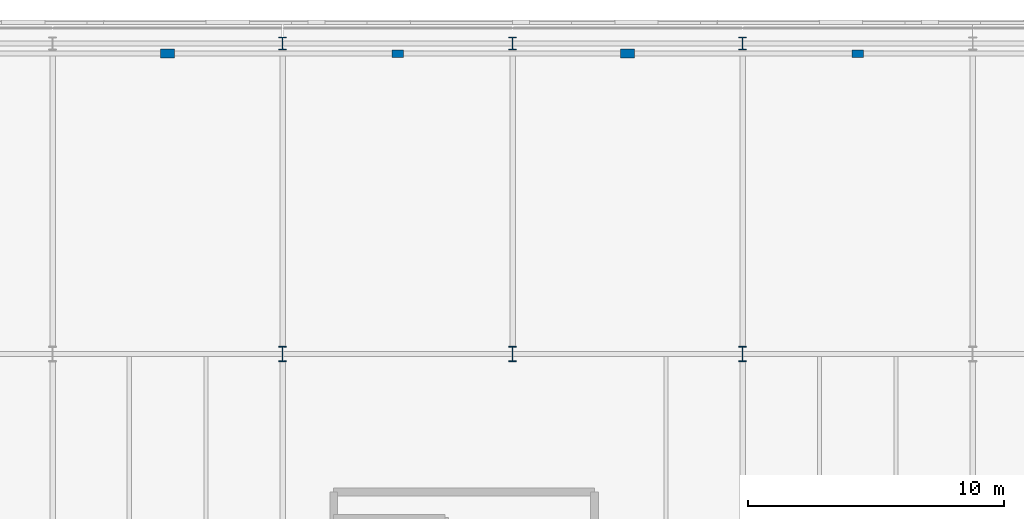
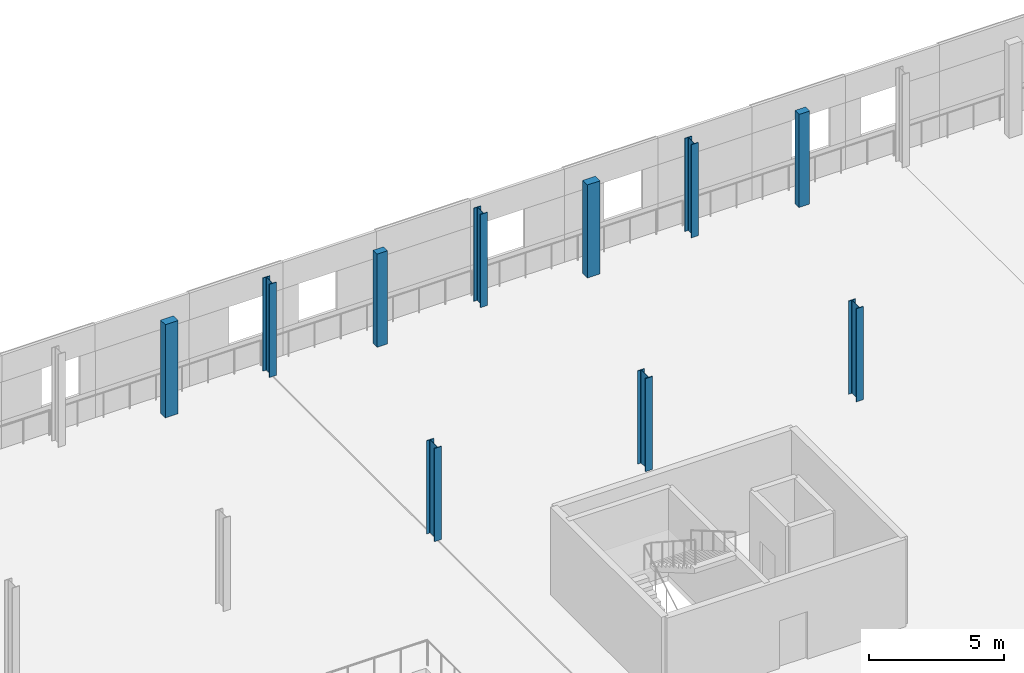
# One storey, part 13 of 135: 10 columns.
"""IFC4 building model written with IfcOpenShell, lengths in metres."""

import ifcopenshell
import ifcopenshell.guid

model = None  # the IFC model being written
_history = None  # IfcOwnerHistory: only IFC2X3 demands one
_inside = {}  # id of a spatial element -> (the spatial element, [elements in it])
_under = {}  # id of a project, library or spatial element -> (it, [spatial elements below it])
_declared = {}  # id of a project -> (the project, [libraries it declares])
_typed = {}  # id of a type object -> (the type object, [elements of that type])
_made_of = {}  # id of a material, layer set ... -> (it, [elements and type objects made of it])


def new_model(schema):
    """Start an empty IFC model of exactly this schema.

    Asked for "IFC4X3", IfcOpenShell would pick the latest addendum, in which some entities
    have other attributes; the version numbers below select the first issue.
    IFC2X3 requires an IfcOwnerHistory on every rooted entity: one is made here for all.
    """
    global model, _history
    if schema == "IFC4X3":
        model = ifcopenshell.file(schema_version=(4, 3, 0, 0))
    else:
        model = ifcopenshell.file(schema=schema)
    _inside.clear()
    _under.clear()
    _declared.clear()
    _typed.clear()
    _made_of.clear()
    _history = None
    if model.schema == "IFC2X3":
        org = make("IfcOrganization", Name="unknown")
        user = make(
            "IfcPersonAndOrganization",
            ThePerson=make("IfcPerson", FamilyName="unknown"),
            TheOrganization=org,
        )
        app = make(
            "IfcApplication",
            ApplicationDeveloper=org,
            Version="unknown",
            ApplicationFullName="unknown",
            ApplicationIdentifier="unknown",
        )
        _history = make(
            "IfcOwnerHistory",
            OwningUser=user,
            OwningApplication=app,
            ChangeAction="ADDED",
            CreationDate=0,
        )
    return model


def make(cls, **values):
    """One entity of the class cls with the attributes given. An attribute that is None is left unset."""
    return model.create_entity(
        cls, **{name: value for name, value in values.items() if value is not None}
    )


def rooted(cls, **values):
    """An entity with a GlobalId (a new one), such as an element, a storey or a relation."""
    return make(cls, GlobalId=ifcopenshell.guid.new(), OwnerHistory=_history, **values)


def si_unit(unit_type, name, prefix=None):
    """IfcSIUnit, for example si_unit("LENGTHUNIT", "METRE", prefix="MILLI")."""
    return make("IfcSIUnit", UnitType=unit_type, Prefix=prefix, Name=name)


def assignment(units):
    """IfcUnitAssignment: the units of a project."""
    return None if units is None else make("IfcUnitAssignment", Units=units)


def point(xyz):
    """IfcCartesianPoint."""
    return None if xyz is None else make("IfcCartesianPoint", Coordinates=xyz)


def direction(xyz):
    """IfcDirection."""
    return None if xyz is None else make("IfcDirection", DirectionRatios=xyz)


def frame(location, z_axis=None, x_axis=None):
    """IfcAxis2Placement3D, a coordinate frame: its origin and axes. An axis left out is left unset."""
    return make(
        "IfcAxis2Placement3D",
        Location=point(location),
        Axis=direction(z_axis),
        RefDirection=direction(x_axis),
    )


def frame_2d(location, x_axis=None):
    """IfcAxis2Placement2D, a coordinate frame in the plane: its origin and x axis."""
    return make(
        "IfcAxis2Placement2D", Location=point(location), RefDirection=direction(x_axis)
    )


def origin():
    """The frame at (0, 0, 0) with its axes left unset."""
    return frame((0.0, 0.0, 0.0))


def origin_2d():
    """The frame at (0, 0) in the plane with its x axis left unset."""
    return frame_2d((0.0, 0.0))


def place(relative_to, where):
    """IfcLocalPlacement: puts the frame where relative to a parent placement (None: the world)."""
    return make(
        "IfcLocalPlacement", PlacementRelTo=relative_to, RelativePlacement=where
    )


def context(
    kind, dimensions, precision=None, world=None, true_north=None, identifier=None
):
    """IfcGeometricRepresentationContext, for example the 3D "Model" context."""
    return make(
        "IfcGeometricRepresentationContext",
        ContextIdentifier=identifier,
        ContextType=kind,
        CoordinateSpaceDimension=dimensions,
        Precision=precision,
        WorldCoordinateSystem=world,
        TrueNorth=true_north,
    )


def subcontext(parent, identifier, kind, view, scale=None):
    """IfcGeometricRepresentationSubContext, for example "Body" below "Model"."""
    return make(
        "IfcGeometricRepresentationSubContext",
        ContextIdentifier=identifier,
        ContextType=kind,
        ParentContext=parent,
        TargetScale=scale,
        TargetView=view,
    )


def project(units=None, contexts=None):
    """IfcProject with its units and contexts."""
    return rooted(
        "IfcProject",
        Name="project",
        RepresentationContexts=contexts,
        UnitsInContext=assignment(units),
    )


def spatial(cls, under=None, at=None, **own):
    """A site, building, storey or space (cls), placed at a placement, below another one or the project."""
    s = rooted(cls, ObjectPlacement=at, **own)
    if under is not None:
        _under.setdefault(under.id(), (under, []))[1].append(s)
    return s


def profile(cls, at=None, kind="AREA", **sizes):
    """A parametric profile (cls). Its sizes go by their IFC names, for example OverallWidth=200.0."""
    return make(cls, ProfileType=kind, Position=at, **sizes)


def rectangle(**sizes):
    """IfcRectangleProfileDef."""
    return profile("IfcRectangleProfileDef", **sizes)


def i_section(**sizes):
    """IfcIShapeProfileDef."""
    return profile("IfcIShapeProfileDef", **sizes)


def extrude(swept, where, along, depth):
    """IfcExtrudedAreaSolid: the profile swept, set in the frame where, extruded along a direction by depth."""
    return make(
        "IfcExtrudedAreaSolid",
        SweptArea=swept,
        Position=where,
        ExtrudedDirection=direction(along),
        Depth=depth,
    )


def shape(context_of_items, identifier, shape_type, items):
    """IfcShapeRepresentation: the items that make up one representation, for example the "Body"."""
    return make(
        "IfcShapeRepresentation",
        ContextOfItems=context_of_items,
        RepresentationIdentifier=identifier,
        RepresentationType=shape_type,
        Items=items,
    )


def material(Name=None, Category=None):
    """IfcMaterial."""
    return make("IfcMaterial", Name=Name, Category=Category)


def material_profile(
    of_material, cross_section, Name=None, Category=None, Priority=None
):
    """IfcMaterialProfile: a cross section and its material."""
    return make(
        "IfcMaterialProfile",
        Name=Name,
        Material=of_material,
        Profile=cross_section,
        Priority=Priority,
        Category=Category,
    )


def profile_set(profiles, Name=None, composite=None):
    """IfcMaterialProfileSet."""
    return make(
        "IfcMaterialProfileSet",
        Name=Name,
        MaterialProfiles=profiles,
        CompositeProfile=composite,
    )


def made_of(thing, what):
    """Note that an element or type object is made of a material, layer set ...; save() writes the relation."""
    if what is not None:
        _made_of.setdefault(what.id(), (what, []))[1].append(thing)
    return thing


def type_object(cls, material=None, **own):
    """A type object (cls), such as IfcWallType, which elements share."""
    return made_of(rooted(cls, **own), material)


def element(
    cls,
    number,
    at=None,
    inside=None,
    cuts=None,
    type_object=None,
    material=None,
    context=None,
    identifier="Body",
    shape_type=None,
    held_by="IfcProductDefinitionShape",
    body=None,
    shapes=None,
    **own,
):
    """One element of the class cls, such as IfcWall. Its Tag is "e" and its number.

    at: its placement. inside: the storey or other place that contains it. cuts: it is an
    opening in that element (IfcRelVoidsElement). A single representation is given by context,
    identifier, shape_type and body (its items); several are given by shapes. held_by: the class
    of the entity that holds the representations. save() writes the other relations.
    """
    e = rooted(cls, Tag="e%d" % number, ObjectPlacement=at, **own)
    if body is not None:
        shapes = [shape(context, identifier, shape_type, body)]
    if shapes is not None:
        e.Representation = make(held_by, Representations=shapes)
    if inside is not None:
        _inside.setdefault(inside.id(), (inside, []))[1].append(e)
    if cuts is not None:
        rooted(
            "IfcRelVoidsElement", RelatingBuildingElement=cuts, RelatedOpeningElement=e
        )
    if type_object is not None:
        _typed.setdefault(type_object.id(), (type_object, []))[1].append(e)
    return made_of(e, material)


def aggregate(whole, parts):
    """IfcRelAggregates: a whole, such as a stair, and the parts it consists of."""
    return rooted("IfcRelAggregates", RelatingObject=whole, RelatedObjects=parts)


def save(model, path):
    """Write the relations noted so far, then the file.

    IfcRelAggregates (storeys below a building ...), IfcRelContainedInSpatialStructure (elements
    in a storey), IfcRelDefinesByType, IfcRelAssociatesMaterial and IfcRelDeclares: one each for
    every whole, place, type object, material and project.
    """
    for whole, parts in _under.values():
        aggregate(whole, parts)
    for where, things in _inside.values():
        rooted(
            "IfcRelContainedInSpatialStructure",
            RelatedElements=things,
            RelatingStructure=where,
        )
    for kind, things in _typed.values():
        rooted("IfcRelDefinesByType", RelatedObjects=things, RelatingType=kind)
    for what, things in _made_of.values():
        rooted("IfcRelAssociatesMaterial", RelatedObjects=things, RelatingMaterial=what)
    for by, libraries in _declared.values():
        rooted("IfcRelDeclares", RelatingContext=by, RelatedDefinitions=libraries)
    model.write(path)


model = new_model("IFC4")

# Units and contexts
model_context = context("Model", 3, precision=1e-05, world=origin(), true_north=direction((0.0, 1.0)))
body_context = subcontext(model_context, "Body", "Model", "MODEL_VIEW")
ifc_project = project(units=[si_unit("LENGTHUNIT", "METRE"), si_unit("AREAUNIT", "SQUARE_METRE"), si_unit("VOLUMEUNIT", "CUBIC_METRE"), si_unit("PLANEANGLEUNIT", "RADIAN"), si_unit("MASSUNIT", "GRAM", prefix="KILO")], contexts=[model_context])

# Site, building, storey
site_placement = place(None, origin())
site = spatial("IfcSite", under=ifc_project, at=site_placement, CompositionType="ELEMENT")
building_placement = place(site_placement, origin())
building = spatial("IfcBuilding", under=site, at=building_placement, Name="Deido Ridge Mobility Hub", CompositionType="ELEMENT")
storey_placement = place(building_placement, frame((0.0, 0.0, 4.199951171875)))
storey = spatial("IfcBuildingStorey", under=building, at=storey_placement, Name="L01", CompositionType="ELEMENT", Elevation=4.199951171875)

# Columns
ifc_material_1 = material(Name="Steel S355J2 EN 10025-2", Category="steel")
ifc_material_profile_1 = material_profile(ifc_material_1, i_section(OverallWidth=0.300048828125, OverallDepth=0.5, WebThickness=0.014404296875, FlangeThickness=0.028076171875, FilletRadius=0.027099609375, at=origin_2d()), Name="HEB 500")
ifc_profile_set_1 = profile_set([ifc_material_profile_1], Name="Steel S355J2 EN 10025-2")
column_type_1 = type_object("IfcColumnType", Name="COL-HEB500", PredefinedType="COLUMN", material=ifc_profile_set_1)
for number, where, z_axis, x_axis, name in (
    (1, (72.0, 125.14990234375, 0.0), (0.0, 0.0, 1.0), (1.0, 0.0, 0.0), "Structural column C5"),
    (2, (81.0, 125.14990234375, 0.0), (0.0, 0.0, 1.0), (1.0, 0.0, 0.0), "Structural column C5"),
    (3, (90.0, 125.14990234375, 0.0), (0.0, 0.0, 1.0), (1.0, 0.0, 0.0), "Structural column C5"),
):
    element("IfcColumn", number, at=place(storey_placement, frame(where, z_axis=z_axis, x_axis=x_axis)), inside=storey, type_object=column_type_1, Name=name, PredefinedType="COLUMN", context=body_context, shape_type="SweptSolid", body=[
        extrude(i_section(OverallWidth=0.300048828125, OverallDepth=0.5, WebThickness=0.014404296875, FlangeThickness=0.028076171875, FilletRadius=0.027099609375, at=origin_2d()), origin(), (0.0, 0.0, 1.0), 4.199951171875),
    ])
ifc_material_profile_2 = material_profile(ifc_material_1, i_section(OverallWidth=0.300048828125, OverallDepth=0.60009765625, WebThickness=0.015380859375, FlangeThickness=0.030029296875, FilletRadius=0.027099609375, at=origin_2d()), Name="HEB 600")
ifc_profile_set_2 = profile_set([ifc_material_profile_2], Name="Steel S355J2 EN 10025-2")
column_type_2 = type_object("IfcColumnType", Name="COL-HEB600", PredefinedType="COLUMN", material=ifc_profile_set_2)
for number, where, z_axis, x_axis, name in (
    (4, (72.0, 113.0, 0.0), (0.0, 0.0, 1.0), (1.0, 0.0, 0.0), "Structural column C4"),
    (5, (81.0, 113.0, 0.0), (0.0, 0.0, 1.0), (1.0, 0.0, 0.0), "Structural column C4"),
    (6, (90.0, 113.0, 0.0), (0.0, 0.0, 1.0), (1.0, 0.0, 0.0), "Structural column C4"),
):
    element("IfcColumn", number, at=place(storey_placement, frame(where, z_axis=z_axis, x_axis=x_axis)), inside=storey, type_object=column_type_2, Name=name, PredefinedType="COLUMN", context=body_context, shape_type="SweptSolid", body=[
        extrude(i_section(OverallWidth=0.300048828125, OverallDepth=0.60009765625, WebThickness=0.015380859375, FlangeThickness=0.030029296875, FilletRadius=0.027099609375, at=origin_2d()), origin(), (0.0, 0.0, 1.0), 4.199951171875),
    ])
ifc_material_2 = material(Name="Concrete C40/50", Category="concrete")
ifc_material_profile_3 = material_profile(ifc_material_2, rectangle(XDim=0.449951171875, YDim=0.300048828125, at=origin_2d()), Name="RC PILASTER 450x300")
ifc_profile_set_3 = profile_set([ifc_material_profile_3], Name="Concrete C40/50")
column_type_3 = type_object("IfcColumnType", Name="PIL-RC450", PredefinedType="PILASTER", material=ifc_profile_set_3)
for number, where, z_axis, x_axis, name in (
    (7, (76.5, 124.75, 0.0), (0.0, 0.0, 1.0), (1.0, 0.0, 0.0), "Structural column PL2"),
    (8, (94.5, 124.75, 0.0), (0.0, 0.0, 1.0), (1.0, 0.0, 0.0), "Structural column PL2"),
):
    element("IfcColumn", number, at=place(storey_placement, frame(where, z_axis=z_axis, x_axis=x_axis)), inside=storey, type_object=column_type_3, Name=name, PredefinedType="PILASTER", context=body_context, shape_type="SweptSolid", body=[
        extrude(rectangle(XDim=0.449951171875, YDim=0.300048828125, at=origin_2d()), origin(), (0.0, 0.0, 1.0), 4.199951171875),
    ])
ifc_material_profile_4 = material_profile(ifc_material_2, rectangle(XDim=0.550048828125, YDim=0.35009765625, at=origin_2d()), Name="RC PILASTER 550x350")
ifc_profile_set_4 = profile_set([ifc_material_profile_4], Name="Concrete C40/50")
column_type_4 = type_object("IfcColumnType", Name="PIL-RC550", PredefinedType="PILASTER", material=ifc_profile_set_4)
for number, where, z_axis, x_axis, name in (
    (9, (67.5, 124.75, 0.0), (0.0, 0.0, 1.0), (1.0, 0.0, 0.0), "Structural column PL1"),
    (10, (85.5, 124.75, 0.0), (0.0, 0.0, 1.0), (1.0, 0.0, 0.0), "Structural column PL1"),
):
    element("IfcColumn", number, at=place(storey_placement, frame(where, z_axis=z_axis, x_axis=x_axis)), inside=storey, type_object=column_type_4, Name=name, PredefinedType="PILASTER", context=body_context, shape_type="SweptSolid", body=[
        extrude(rectangle(XDim=0.550048828125, YDim=0.35009765625, at=origin_2d()), origin(), (0.0, 0.0, 1.0), 4.199951171875),
    ])

save(model, "model.ifc")
